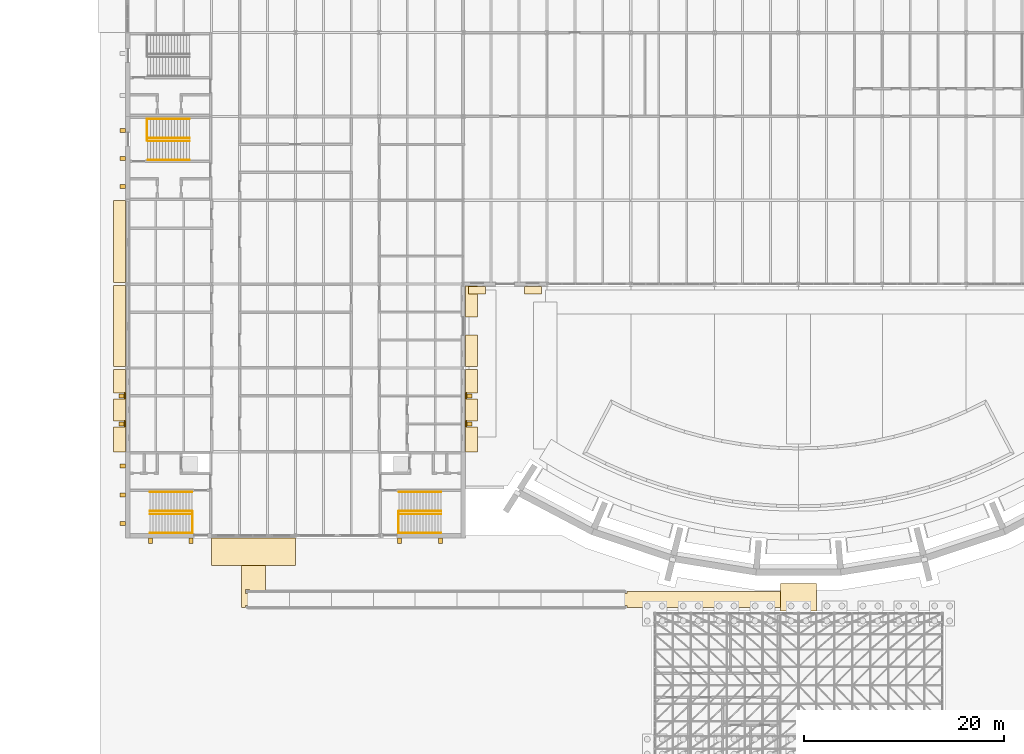
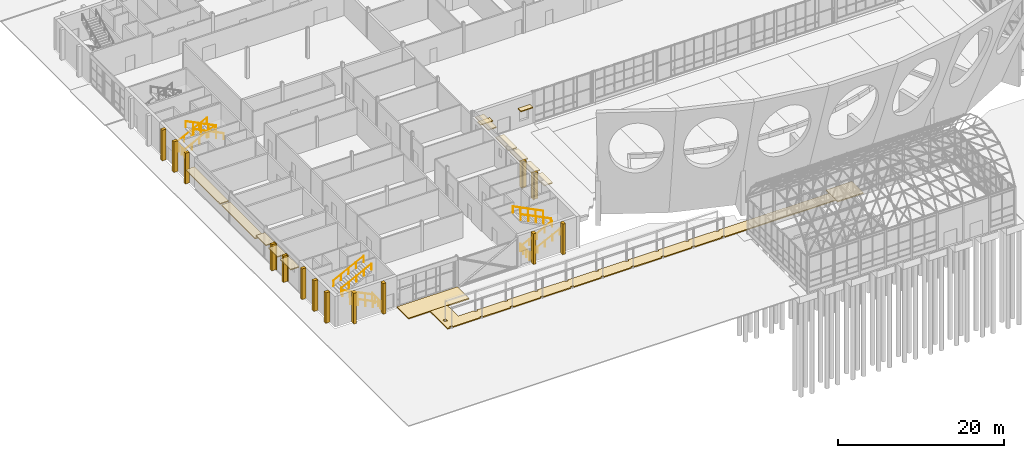
# One storey, part 110 of 116: 33 coverings, 15 railings.
"""IFC4 building model written with IfcOpenShell, lengths in metres."""

from ifc_helpers import new_model, si_unit, direction, frame, origin, origin_2d, place, context, subcontext, project, spatial, polyline, rectangle, circle, outline, extrude, material, layer, layer_set, type_object, element, save


model = new_model("IFC4")

# Units and contexts
model_context = context("Model", 3, precision=1e-05, world=origin(), true_north=direction((0.0, 1.0)))
body_context = subcontext(model_context, "Body", "Model", "MODEL_VIEW")
ifc_project = project(units=[si_unit("LENGTHUNIT", "METRE"), si_unit("AREAUNIT", "SQUARE_METRE"), si_unit("VOLUMEUNIT", "CUBIC_METRE"), si_unit("PLANEANGLEUNIT", "RADIAN"), si_unit("MASSUNIT", "GRAM", prefix="KILO")], contexts=[model_context])

# Site, building, storey
site_placement = place(None, origin())
site = spatial("IfcSite", under=ifc_project, at=site_placement, CompositionType="ELEMENT")
building_placement = place(site_placement, origin())
building = spatial("IfcBuilding", under=site, at=building_placement, Name="Ardhachandra Cancer Care Centre", CompositionType="ELEMENT")
storey_placement = place(building_placement, origin())
storey = spatial("IfcBuildingStorey", under=building, at=storey_placement, Name="L00", CompositionType="ELEMENT", Elevation=0.0)

# Coverings
ifc_material_1 = material(Name="Brick masonry (clay brick, cement mortar) pier cladding", Category="masonry")
ifc_layer_1 = layer(ifc_material_1, 0.1201171875)
ifc_layer_set_1 = layer_set([ifc_layer_1], Name="Brick masonry (clay brick, cement mortar) pier cladding")
covering_type_1 = type_object("IfcCoveringType", Name="Brick pier cladding 600 x 120", PredefinedType="CLADDING", material=ifc_layer_set_1)
for number, where, z_axis, x_axis, name in (
    (1, (44.68505859375, 40.60009765625, 0.0), (0.0, 0.0, 1.0), (0.0, 1.0, 0.0), "Pier cladding L00 L00/e/0044400_0037800"),
    (2, (44.68505859375, 43.39990234375, 0.0), (0.0, 0.0, 1.0), (0.0, 1.0, 0.0), "Pier cladding L00 L00/e/0044400_0037800"),
    (3, (10.514892578125, 40.60009765625, 0.0), (0.0, 0.0, 1.0), (0.0, 1.0, 0.0), "Pier cladding L00 L00/w/0010800_0037800"),
    (4, (10.514892578125, 43.39990234375, 0.0), (0.0, 0.0, 1.0), (0.0, 1.0, 0.0), "Pier cladding L00 L00/w/0010800_0037800"),
):
    element("IfcCovering", number, at=place(storey_placement, frame(where, z_axis=z_axis, x_axis=x_axis)), inside=storey, type_object=covering_type_1, Name=name, PredefinedType="CLADDING", context=body_context, shape_type="SweptSolid", body=[
        extrude(rectangle(XDim=0.60009765625, YDim=0.1201171875, at=origin_2d()), origin(), (0.0, 0.0, 1.0), 3.85009765625),
    ])

# Railings
ifc_material_2 = material(Name="Steel E250 (IS 2062)", Category="steel")
railing_type_1 = type_object("IfcRailingType", Name="Guard 1100", PredefinedType="GUARDRAIL", material=ifc_material_2)
for number, where, name in (
    (5, (17.284912109375, 29.655029296875, 0.0), "Stair well guard K1 L00"),
    (6, (37.9150390625, 29.655029296875, 0.0), "Stair well guard K2 L00"),
):
    element("IfcRailing", number, at=place(storey_placement, frame(where)), inside=storey, type_object=railing_type_1, Name=name, PredefinedType="GUARDRAIL", context=body_context, shape_type="SweptSolid", body=[
        extrude(circle(Radius=0.02392578125, at=origin_2d()), frame((0.0, 0.0, 1.076171875), z_axis=(0.0, 1.0, 0.0), x_axis=(-1.0, 0.0, 0.0)), (0.0, 0.0, 1.0), 2.169921875),
        extrude(circle(Radius=0.02099609375, at=origin_2d()), origin(), (0.0, 0.0, 1.0), 1.052001953125),
        extrude(circle(Radius=0.02099609375, at=origin_2d()), frame((0.0, 0.723388671875, 0.0)), (0.0, 0.0, 1.0), 1.052001953125),
        extrude(circle(Radius=0.02099609375, at=origin_2d()), frame((0.0, 1.446533203125, 0.0)), (0.0, 0.0, 1.0), 1.052001953125),
        extrude(circle(Radius=0.02099609375, at=origin_2d()), frame((0.0, 2.169921875, 0.0)), (0.0, 0.0, 1.0), 1.052001953125),
    ])
railing_placement = place(storey_placement, frame((12.739990234375, 71.169921875, 0.0)))
element("IfcRailing", 7, at=railing_placement, inside=storey, type_object=railing_type_1, Name="Stair well guard K3 L00", PredefinedType="GUARDRAIL", context=body_context, shape_type="SweptSolid", body=[
    extrude(circle(Radius=0.02392578125, at=origin_2d()), frame((0.0, 0.0, 1.076171875), z_axis=(0.0, -1.0, 0.0), x_axis=(1.0, 0.0, 0.0)), (0.0, 0.0, 1.0), 2.169921875),
    extrude(circle(Radius=0.02099609375, at=origin_2d()), origin(), (0.0, 0.0, 1.0), 1.052001953125),
    extrude(circle(Radius=0.02099609375, at=origin_2d()), frame((0.0, -0.723388671875, 0.0)), (0.0, 0.0, 1.0), 1.052001953125),
    extrude(circle(Radius=0.02099609375, at=origin_2d()), frame((0.0, -1.446533203125, 0.0)), (0.0, 0.0, 1.0), 1.052001953125),
    extrude(circle(Radius=0.02099609375, at=origin_2d()), frame((0.0, -2.169921875, 0.0)), (0.0, 0.0, 1.0), 1.052001953125),
])

# Coverings
ifc_material_3 = material(Name="Interlocking concrete paver on compacted sub-base", Category="concrete")
ifc_layer_2 = layer(ifc_material_3, 0.14990234375)
ifc_layer_set_2 = layer_set([ifc_layer_2], Name="Interlocking concrete paver on compacted sub-base")
covering_type_2 = type_object("IfcCoveringType", Name="Paver paving 150", PredefinedType="USERDEFINED", material=ifc_layer_set_2)
covering_1_placement = place(storey_placement, frame((0.0, 0.0, -0.14990234375)))
element("IfcCovering", 8, at=covering_1_placement, inside=storey, type_object=covering_type_2, Name="Garden walk paving 1", ObjectType="PAVING", PredefinedType="USERDEFINED", context=body_context, shape_type="SweptSolid", body=[
    extrude(outline(polyline([(76.199951171875, 22.199951171875), (60.800048828125, 22.199951171875), (60.800048828125, 22.39990234375), (60.39990234375, 22.39990234375), (60.39990234375, 22.199951171875), (56.60009765625, 22.199951171875), (56.60009765625, 22.39990234375), (56.199951171875, 22.39990234375), (56.199951171875, 22.199951171875), (52.39990234375, 22.199951171875), (52.39990234375, 22.39990234375), (52.0, 22.39990234375), (52.0, 22.199951171875), (48.199951171875, 22.199951171875), (48.199951171875, 22.39990234375), (47.800048828125, 22.39990234375), (47.800048828125, 22.199951171875), (44.0, 22.199951171875), (44.0, 22.39990234375), (43.60009765625, 22.39990234375), (43.60009765625, 22.199951171875), (39.800048828125, 22.199951171875), (39.800048828125, 22.39990234375), (39.39990234375, 22.39990234375), (39.39990234375, 22.199951171875), (35.60009765625, 22.199951171875), (35.60009765625, 22.39990234375), (35.199951171875, 22.39990234375), (35.199951171875, 22.199951171875), (31.39990234375, 22.199951171875), (31.39990234375, 22.39990234375), (31.0, 22.39990234375), (31.0, 22.199951171875), (27.199951171875, 22.199951171875), (27.199951171875, 22.39990234375), (26.800048828125, 22.39990234375), (26.800048828125, 22.199951171875), (23.0, 22.199951171875), (23.0, 22.39990234375), (22.60009765625, 22.39990234375), (22.60009765625, 22.199951171875), (22.199951171875, 22.199951171875), (22.199951171875, 23.800048828125), (22.199951171875, 26.39990234375), (24.60009765625, 26.39990234375), (24.60009765625, 23.800048828125), (26.800048828125, 23.800048828125), (26.800048828125, 23.60009765625), (27.199951171875, 23.60009765625), (27.199951171875, 23.800048828125), (31.0, 23.800048828125), (31.0, 23.60009765625), (31.39990234375, 23.60009765625), (31.39990234375, 23.800048828125), (35.199951171875, 23.800048828125), (35.199951171875, 23.60009765625), (35.60009765625, 23.60009765625), (35.60009765625, 23.800048828125), (39.39990234375, 23.800048828125), (39.39990234375, 23.60009765625), (39.800048828125, 23.60009765625), (39.800048828125, 23.800048828125), (43.60009765625, 23.800048828125), (43.60009765625, 23.60009765625), (44.0, 23.60009765625), (44.0, 23.800048828125), (47.800048828125, 23.800048828125), (47.800048828125, 23.60009765625), (48.199951171875, 23.60009765625), (48.199951171875, 23.800048828125), (52.0, 23.800048828125), (52.0, 23.60009765625), (52.39990234375, 23.60009765625), (52.39990234375, 23.800048828125), (56.199951171875, 23.800048828125), (56.199951171875, 23.60009765625), (56.60009765625, 23.60009765625), (56.60009765625, 23.800048828125), (60.39990234375, 23.800048828125), (60.39990234375, 23.60009765625), (60.800048828125, 23.60009765625), (60.800048828125, 23.800048828125), (76.199951171875, 23.800048828125), (76.199951171875, 22.199951171875)]), holes=[polyline([(23.0, 24.0), (22.60009765625, 24.0), (22.60009765625, 23.60009765625), (23.0, 23.60009765625), (23.0, 24.0)])]), origin(), (0.0, 0.0, 1.0), 0.14990234375),
])
covering_2_placement = place(storey_placement, frame((0.0, 0.0, -0.14990234375)))
element("IfcCovering", 9, at=covering_2_placement, inside=storey, type_object=covering_type_2, Name="Entrance apron E2 1", ObjectType="PAVING", PredefinedType="USERDEFINED", context=body_context, shape_type="SweptSolid", body=[
    extrude(outline(polyline([(27.60009765625, 26.39990234375), (27.60009765625, 29.175048828125), (19.199951171875, 29.175048828125), (19.199951171875, 26.39990234375), (27.60009765625, 26.39990234375)])), origin(), (0.0, 0.0, 1.0), 0.14990234375),
])
covering_3_placement = place(storey_placement, frame((0.0, 0.0, -0.14990234375)))
element("IfcCovering", 10, at=covering_3_placement, inside=storey, type_object=covering_type_2, Name="Entrance apron E4 1", ObjectType="PAVING", PredefinedType="USERDEFINED", context=body_context, shape_type="SweptSolid", body=[
    extrude(outline(polyline([(79.800048828125, 21.824951171875), (79.800048828125, 24.60009765625), (76.199951171875, 24.60009765625), (76.199951171875, 21.824951171875), (79.800048828125, 21.824951171875)])), origin(), (0.0, 0.0, 1.0), 0.14990234375),
])
ifc_material_4 = material(Name="Precast Concrete M25", Category="concrete")
ifc_layer_3 = layer(ifc_material_4, 0.1201171875)
ifc_layer_set_3 = layer_set([ifc_layer_3], Name="Precast Concrete M25")
covering_type_3 = type_object("IfcCoveringType", Name="Precast chajja 750 x 120", PredefinedType="USERDEFINED", material=ifc_layer_set_3)
for number, where, z_axis, x_axis, name in (
    (11, (45.800048828125, 54.0, 2.800048828125), (0.0, 0.0, 1.0), (1.0, 0.0, 0.0), "Chajja L00/s/0044400_0054600/01"),
    (12, (51.39990234375, 54.0, 2.800048828125), (0.0, 0.0, 1.0), (1.0, 0.0, 0.0), "Chajja L00/s/0044400_0054600/02"),
):
    element("IfcCovering", number, at=place(storey_placement, frame(where, z_axis=z_axis, x_axis=x_axis)), inside=storey, type_object=covering_type_3, Name=name, ObjectType="CHAJJA", PredefinedType="USERDEFINED", context=body_context, shape_type="SweptSolid", body=[
        extrude(rectangle(XDim=1.699951171875, YDim=0.75, at=origin_2d()), origin(), (0.0, 0.0, 1.0), 0.1201171875),
    ])
ifc_material_5 = material(Name="Precast Concrete M25", Category="concrete")
ifc_layer_4 = layer(ifc_material_5, 0.39990234375)
ifc_layer_set_4 = layer_set([ifc_layer_4], Name="Precast Concrete M25")
covering_type_4 = type_object("IfcCoveringType", Name="Precast concrete fin 400 x 550", PredefinedType="CLADDING", material=ifc_layer_set_4)
for number, where, z_axis, x_axis, name in (
    (13, (45.02001953125, 40.60009765625, 0.0), (0.0, 0.0, 1.0), (0.0, 1.0, 0.0), "Fin L00 L00/e/0044400_0037800"),
    (14, (45.02001953125, 43.39990234375, 0.0), (0.0, 0.0, 1.0), (0.0, 1.0, 0.0), "Fin L00 L00/e/0044400_0037800"),
    (15, (10.179931640625, 40.60009765625, 0.0), (0.0, 0.0, 1.0), (0.0, 1.0, 0.0), "Fin L00 L00/w/0010800_0037800"),
    (16, (10.179931640625, 43.39990234375, 0.0), (0.0, 0.0, 1.0), (0.0, 1.0, 0.0), "Fin L00 L00/w/0010800_0037800"),
):
    element("IfcCovering", number, at=place(storey_placement, frame(where, z_axis=z_axis, x_axis=x_axis)), inside=storey, type_object=covering_type_4, Name=name, PredefinedType="CLADDING", context=body_context, shape_type="SweptSolid", body=[
        extrude(rectangle(XDim=0.39990234375, YDim=0.550048828125, at=origin_2d()), origin(), (0.0, 0.0, 1.0), 3.85009765625),
    ])
for number, where, z_axis, x_axis, name in (
    (17, (10.300048828125, 30.612548828125, 0.0), (0.0, 0.0, 1.0), (0.0, 1.0, 0.0), "Fin L00 core K1 1"),
    (18, (10.300048828125, 33.487548828125, 0.0), (0.0, 0.0, 1.0), (0.0, 1.0, 0.0), "Fin L00 core K1 2"),
    (19, (10.300048828125, 36.362548828125, 0.0), (0.0, 0.0, 1.0), (0.0, 1.0, 0.0), "Fin L00 core K1 3"),
    (20, (13.06884765625, 28.89990234375, 0.0), (0.0, 0.0, 1.0), (1.0, 0.0, 0.0), "Fin L00 core K1 1"),
    (21, (17.15625, 28.89990234375, 0.0), (0.0, 0.0, 1.0), (1.0, 0.0, 0.0), "Fin L00 core K1 2"),
    (22, (38.043701171875, 28.89990234375, 0.0), (0.0, 0.0, 1.0), (1.0, 0.0, 0.0), "Fin L00 core K2 1"),
    (23, (42.13134765625, 28.89990234375, 0.0), (0.0, 0.0, 1.0), (1.0, 0.0, 0.0), "Fin L00 core K2 2"),
    (24, (10.300048828125, 64.39990234375, 0.0), (0.0, 0.0, 1.0), (0.0, 1.0, 0.0), "Fin L00 core K3 1"),
    (25, (10.300048828125, 67.199951171875, 0.0), (0.0, 0.0, 1.0), (0.0, 1.0, 0.0), "Fin L00 core K3 2"),
    (26, (10.300048828125, 70.0, 0.0), (0.0, 0.0, 1.0), (0.0, 1.0, 0.0), "Fin L00 core K3 3"),
):
    element("IfcCovering", number, at=place(storey_placement, frame(where, z_axis=z_axis, x_axis=x_axis)), inside=storey, type_object=covering_type_4, Name=name, PredefinedType="CLADDING", context=body_context, shape_type="SweptSolid", body=[
        extrude(rectangle(XDim=0.39990234375, YDim=0.550048828125, at=origin_2d()), origin(), (0.0, 0.0, 1.0), 4.5),
    ])
ifc_material_6 = material(Name="Precast Concrete M25", Category="concrete")
ifc_layer_5 = layer(ifc_material_6, 0.14990234375)
ifc_layer_set_5 = layer_set([ifc_layer_5], Name="Precast Concrete M25")
covering_type_5 = type_object("IfcCoveringType", Name="Precast sunshade band 1200 x 150", PredefinedType="CLADDING", material=ifc_layer_set_5)
covering_4_placement = place(storey_placement, frame((45.22509765625, 39.050048828125, 3.550048828125), z_axis=(0.0, 0.0, 1.0), x_axis=(0.0, 1.0, 0.0)))
element("IfcCovering", 27, at=covering_4_placement, inside=storey, type_object=covering_type_5, Name="Sunshade band L00 L00/e/0044400_0037800 1", PredefinedType="CLADDING", context=body_context, shape_type="SweptSolid", body=[
    extrude(rectangle(XDim=2.5, YDim=1.199951171875, at=origin_2d()), origin(), (0.0, 0.0, 1.0), 0.14990234375),
])
covering_5_placement = place(storey_placement, frame((45.22509765625, 42.0, 3.550048828125), z_axis=(0.0, 0.0, 1.0), x_axis=(0.0, 1.0, 0.0)))
element("IfcCovering", 28, at=covering_5_placement, inside=storey, type_object=covering_type_5, Name="Sunshade band L00 L00/e/0044400_0037800 2", PredefinedType="CLADDING", context=body_context, shape_type="SweptSolid", body=[
    extrude(rectangle(XDim=2.199951171875, YDim=1.199951171875, at=origin_2d()), origin(), (0.0, 0.0, 1.0), 0.14990234375),
])
covering_6_placement = place(storey_placement, frame((45.22509765625, 44.87744140625, 3.550048828125), z_axis=(0.0, 0.0, 1.0), x_axis=(0.0, 1.0, 0.0)))
element("IfcCovering", 29, at=covering_6_placement, inside=storey, type_object=covering_type_5, Name="Sunshade band L00 L00/e/0044400_0037800 3", PredefinedType="CLADDING", context=body_context, shape_type="SweptSolid", body=[
    extrude(rectangle(XDim=2.35498046875, YDim=1.199951171875, at=origin_2d()), origin(), (0.0, 0.0, 1.0), 0.14990234375),
])
covering_7_placement = place(storey_placement, frame((45.22509765625, 47.922607421875, 3.550048828125), z_axis=(0.0, 0.0, 1.0), x_axis=(0.0, 1.0, 0.0)))
element("IfcCovering", 30, at=covering_7_placement, inside=storey, type_object=covering_type_5, Name="Sunshade band L00 L00/e/0044400_0046200 1", PredefinedType="CLADDING", context=body_context, shape_type="SweptSolid", body=[
    extrude(rectangle(XDim=3.155029296875, YDim=1.199951171875, at=origin_2d()), origin(), (0.0, 0.0, 1.0), 0.14990234375),
])
covering_8_placement = place(storey_placement, frame((45.22509765625, 52.85009765625, 3.550048828125), z_axis=(0.0, 0.0, 1.0), x_axis=(0.0, 1.0, 0.0)))
element("IfcCovering", 31, at=covering_8_placement, inside=storey, type_object=covering_type_5, Name="Sunshade band L00 L00/e/0044400_0046200 2", PredefinedType="CLADDING", context=body_context, shape_type="SweptSolid", body=[
    extrude(rectangle(XDim=3.10009765625, YDim=1.199951171875, at=origin_2d()), origin(), (0.0, 0.0, 1.0), 0.14990234375),
])
covering_9_placement = place(storey_placement, frame((9.97509765625, 39.050048828125, 3.550048828125), z_axis=(0.0, 0.0, 1.0), x_axis=(0.0, 1.0, 0.0)))
element("IfcCovering", 32, at=covering_9_placement, inside=storey, type_object=covering_type_5, Name="Sunshade band L00 L00/w/0010800_0037800 1", PredefinedType="CLADDING", context=body_context, shape_type="SweptSolid", body=[
    extrude(rectangle(XDim=2.5, YDim=1.199951171875, at=origin_2d()), origin(), (0.0, 0.0, 1.0), 0.14990234375),
])
covering_10_placement = place(storey_placement, frame((9.97509765625, 42.0, 3.550048828125), z_axis=(0.0, 0.0, 1.0), x_axis=(0.0, 1.0, 0.0)))
element("IfcCovering", 33, at=covering_10_placement, inside=storey, type_object=covering_type_5, Name="Sunshade band L00 L00/w/0010800_0037800 2", PredefinedType="CLADDING", context=body_context, shape_type="SweptSolid", body=[
    extrude(rectangle(XDim=2.199951171875, YDim=1.199951171875, at=origin_2d()), origin(), (0.0, 0.0, 1.0), 0.14990234375),
])
covering_11_placement = place(storey_placement, frame((9.97509765625, 44.87744140625, 3.550048828125), z_axis=(0.0, 0.0, 1.0), x_axis=(0.0, 1.0, 0.0)))
element("IfcCovering", 34, at=covering_11_placement, inside=storey, type_object=covering_type_5, Name="Sunshade band L00 L00/w/0010800_0037800 3", PredefinedType="CLADDING", context=body_context, shape_type="SweptSolid", body=[
    extrude(rectangle(XDim=2.35498046875, YDim=1.199951171875, at=origin_2d()), origin(), (0.0, 0.0, 1.0), 0.14990234375),
])
covering_12_placement = place(storey_placement, frame((9.97509765625, 50.39990234375, 2.949951171875), z_axis=(0.0, 0.0, 1.0), x_axis=(0.0, 1.0, 0.0)))
element("IfcCovering", 35, at=covering_12_placement, inside=storey, type_object=covering_type_5, Name="Sunshade band L00 L00/w/0010800_0046200 1", PredefinedType="CLADDING", context=body_context, shape_type="SweptSolid", body=[
    extrude(rectangle(XDim=8.110107421875, YDim=1.199951171875, at=origin_2d()), origin(), (0.0, 0.0, 1.0), 0.14990234375),
])
covering_13_placement = place(storey_placement, frame((9.97509765625, 58.87255859375, 2.949951171875), z_axis=(0.0, 0.0, 1.0), x_axis=(0.0, 1.0, 0.0)))
element("IfcCovering", 36, at=covering_13_placement, inside=storey, type_object=covering_type_5, Name="Sunshade band L00 L00/w/0010800_0054600 1", PredefinedType="CLADDING", context=body_context, shape_type="SweptSolid", body=[
    extrude(rectangle(XDim=8.2548828125, YDim=1.199951171875, at=origin_2d()), origin(), (0.0, 0.0, 1.0), 0.14990234375),
])

# Railings
ifc_material_7 = material(Name="Steel E250 (IS 2062)", Category="steel")
railing_type_2 = type_object("IfcRailingType", Name="Stair handrail 900", PredefinedType="HANDRAIL", material=ifc_material_7)
for number, where, name in (
    (37, (17.22509765625, 29.68505859375, 0.14990234375), "Handrail K1 L00-L01 flight 1 wall side"),
    (38, (17.22509765625, 31.574951171875, 0.14990234375), "Handrail K1 L00-L01 flight 1 well side"),
):
    element("IfcRailing", number, at=place(storey_placement, frame(where)), inside=storey, type_object=railing_type_2, Name=name, PredefinedType="HANDRAIL", context=body_context, shape_type="SweptSolid", body=[
        extrude(circle(Radius=0.02392578125, at=origin_2d()), frame((0.0, 0.0, 0.8759765625), z_axis=(-0.894427191, 0.0, 0.4472135955), x_axis=(0.0, -1.0, 0.0)), (0.0, 0.0, 1.0), 4.696044921875),
        extrude(circle(Radius=0.02099609375, at=origin_2d()), origin(), (0.0, 0.0, 1.0), 0.851806640625),
        extrude(circle(Radius=0.02099609375, at=origin_2d()), frame((-1.050048828125, 0.0, 0.52490234375)), (0.0, 0.0, 1.0), 0.851806640625),
        extrude(circle(Radius=0.02099609375, at=origin_2d()), frame((-2.10009765625, 0.0, 1.050048828125)), (0.0, 0.0, 1.0), 0.851806640625),
        extrude(circle(Radius=0.02099609375, at=origin_2d()), frame((-3.150146484375, 0.0, 1.5751953125)), (0.0, 0.0, 1.0), 0.851806640625),
        extrude(circle(Radius=0.02099609375, at=origin_2d()), frame((-4.2001953125, 0.0, 2.10009765625)), (0.0, 0.0, 1.0), 0.851806640625),
    ])
for number, where, name in (
    (39, (13.02490234375, 31.875, 2.39990234375), "Handrail K1 L00-L01 flight 2 well side"),
    (40, (13.02490234375, 33.764892578125, 2.39990234375), "Handrail K1 L00-L01 flight 2 wall side"),
):
    element("IfcRailing", number, at=place(storey_placement, frame(where)), inside=storey, type_object=railing_type_2, Name=name, PredefinedType="HANDRAIL", context=body_context, shape_type="SweptSolid", body=[
        extrude(circle(Radius=0.02392578125, at=origin_2d()), frame((0.0, 0.0, 0.8759765625), z_axis=(0.894427191, 0.0, 0.4472135955), x_axis=(0.0, 1.0, 0.0)), (0.0, 0.0, 1.0), 4.696044921875),
        extrude(circle(Radius=0.02099609375, at=origin_2d()), origin(), (0.0, 0.0, 1.0), 0.851806640625),
        extrude(circle(Radius=0.02099609375, at=origin_2d()), frame((1.050048828125, 0.0, 0.52490234375)), (0.0, 0.0, 1.0), 0.851806640625),
        extrude(circle(Radius=0.02099609375, at=origin_2d()), frame((2.10009765625, 0.0, 1.050048828125)), (0.0, 0.0, 1.0), 0.851806640625),
        extrude(circle(Radius=0.02099609375, at=origin_2d()), frame((3.150146484375, 0.0, 1.5751953125)), (0.0, 0.0, 1.0), 0.851806640625),
        extrude(circle(Radius=0.02099609375, at=origin_2d()), frame((4.2001953125, 0.0, 2.10009765625)), (0.0, 0.0, 1.0), 0.851806640625),
    ])
for number, where, name in (
    (41, (37.97509765625, 29.68505859375, 0.14990234375), "Handrail K2 L00-L01 flight 1 wall side"),
    (42, (37.97509765625, 31.574951171875, 0.14990234375), "Handrail K2 L00-L01 flight 1 well side"),
):
    element("IfcRailing", number, at=place(storey_placement, frame(where)), inside=storey, type_object=railing_type_2, Name=name, PredefinedType="HANDRAIL", context=body_context, shape_type="SweptSolid", body=[
        extrude(circle(Radius=0.02392578125, at=origin_2d()), frame((0.0, 0.0, 0.8759765625), z_axis=(0.894416792377, 0.0, 0.447234392142), x_axis=(0.0, 1.0, 0.0)), (0.0, 0.0, 1.0), 4.69580078125),
        extrude(circle(Radius=0.02099609375, at=origin_2d()), origin(), (0.0, 0.0, 1.0), 0.851806640625),
        extrude(circle(Radius=0.02099609375, at=origin_2d()), frame((1.050048828125, 0.0, 0.52490234375)), (0.0, 0.0, 1.0), 0.851806640625),
        extrude(circle(Radius=0.02099609375, at=origin_2d()), frame((2.10009765625, 0.0, 1.050048828125)), (0.0, 0.0, 1.0), 0.851806640625),
        extrude(circle(Radius=0.02099609375, at=origin_2d()), frame((3.14990234375, 0.0, 1.5751953125)), (0.0, 0.0, 1.0), 0.851806640625),
        extrude(circle(Radius=0.02099609375, at=origin_2d()), frame((4.199951171875, 0.0, 2.10009765625)), (0.0, 0.0, 1.0), 0.851806640625),
    ])
for number, where, name in (
    (43, (42.175048828125, 31.875, 2.39990234375), "Handrail K2 L00-L01 flight 2 well side"),
    (44, (42.175048828125, 33.764892578125, 2.39990234375), "Handrail K2 L00-L01 flight 2 wall side"),
):
    element("IfcRailing", number, at=place(storey_placement, frame(where)), inside=storey, type_object=railing_type_2, Name=name, PredefinedType="HANDRAIL", context=body_context, shape_type="SweptSolid", body=[
        extrude(circle(Radius=0.02392578125, at=origin_2d()), frame((0.0, 0.0, 0.8759765625), z_axis=(-0.894416792377, 0.0, 0.447234392142), x_axis=(0.0, -1.0, 0.0)), (0.0, 0.0, 1.0), 4.69580078125),
        extrude(circle(Radius=0.02099609375, at=origin_2d()), origin(), (0.0, 0.0, 1.0), 0.851806640625),
        extrude(circle(Radius=0.02099609375, at=origin_2d()), frame((-1.050048828125, 0.0, 0.52490234375)), (0.0, 0.0, 1.0), 0.851806640625),
        extrude(circle(Radius=0.02099609375, at=origin_2d()), frame((-2.10009765625, 0.0, 1.050048828125)), (0.0, 0.0, 1.0), 0.851806640625),
        extrude(circle(Radius=0.02099609375, at=origin_2d()), frame((-3.14990234375, 0.0, 1.5751953125)), (0.0, 0.0, 1.0), 0.851806640625),
        extrude(circle(Radius=0.02099609375, at=origin_2d()), frame((-4.199951171875, 0.0, 2.10009765625)), (0.0, 0.0, 1.0), 0.851806640625),
    ])
for number, where, name in (
    (45, (12.800048828125, 71.139892578125, 0.14990234375), "Handrail K3 L00-L01 flight 1 wall side"),
    (46, (12.800048828125, 69.25, 0.14990234375), "Handrail K3 L00-L01 flight 1 well side"),
):
    element("IfcRailing", number, at=place(storey_placement, frame(where)), inside=storey, type_object=railing_type_2, Name=name, PredefinedType="HANDRAIL", context=body_context, shape_type="SweptSolid", body=[
        extrude(circle(Radius=0.02392578125, at=origin_2d()), frame((0.0, 0.0, 0.8759765625), z_axis=(0.894416792377, 0.0, 0.447234392142), x_axis=(0.0, 1.0, 0.0)), (0.0, 0.0, 1.0), 4.69580078125),
        extrude(circle(Radius=0.02099609375, at=origin_2d()), origin(), (0.0, 0.0, 1.0), 0.851806640625),
        extrude(circle(Radius=0.02099609375, at=origin_2d()), frame((1.050048828125, 0.0, 0.52490234375)), (0.0, 0.0, 1.0), 0.851806640625),
        extrude(circle(Radius=0.02099609375, at=origin_2d()), frame((2.10009765625, 0.0, 1.050048828125)), (0.0, 0.0, 1.0), 0.851806640625),
        extrude(circle(Radius=0.02099609375, at=origin_2d()), frame((3.14990234375, 0.0, 1.5751953125)), (0.0, 0.0, 1.0), 0.851806640625),
        extrude(circle(Radius=0.02099609375, at=origin_2d()), frame((4.199951171875, 0.0, 2.10009765625)), (0.0, 0.0, 1.0), 0.851806640625),
    ])
for number, where, name in (
    (47, (17.0, 68.949951171875, 2.39990234375), "Handrail K3 L00-L01 flight 2 well side"),
    (48, (17.0, 67.06005859375, 2.39990234375), "Handrail K3 L00-L01 flight 2 wall side"),
):
    element("IfcRailing", number, at=place(storey_placement, frame(where)), inside=storey, type_object=railing_type_2, Name=name, PredefinedType="HANDRAIL", context=body_context, shape_type="SweptSolid", body=[
        extrude(circle(Radius=0.02392578125, at=origin_2d()), frame((0.0, 0.0, 0.8759765625), z_axis=(-0.894416792377, 0.0, 0.447234392142), x_axis=(0.0, -1.0, 0.0)), (0.0, 0.0, 1.0), 4.69580078125),
        extrude(circle(Radius=0.02099609375, at=origin_2d()), origin(), (0.0, 0.0, 1.0), 0.851806640625),
        extrude(circle(Radius=0.02099609375, at=origin_2d()), frame((-1.050048828125, 0.0, 0.52490234375)), (0.0, 0.0, 1.0), 0.851806640625),
        extrude(circle(Radius=0.02099609375, at=origin_2d()), frame((-2.10009765625, 0.0, 1.050048828125)), (0.0, 0.0, 1.0), 0.851806640625),
        extrude(circle(Radius=0.02099609375, at=origin_2d()), frame((-3.14990234375, 0.0, 1.5751953125)), (0.0, 0.0, 1.0), 0.851806640625),
        extrude(circle(Radius=0.02099609375, at=origin_2d()), frame((-4.199951171875, 0.0, 2.10009765625)), (0.0, 0.0, 1.0), 0.851806640625),
    ])

save(model, "model.ifc")
